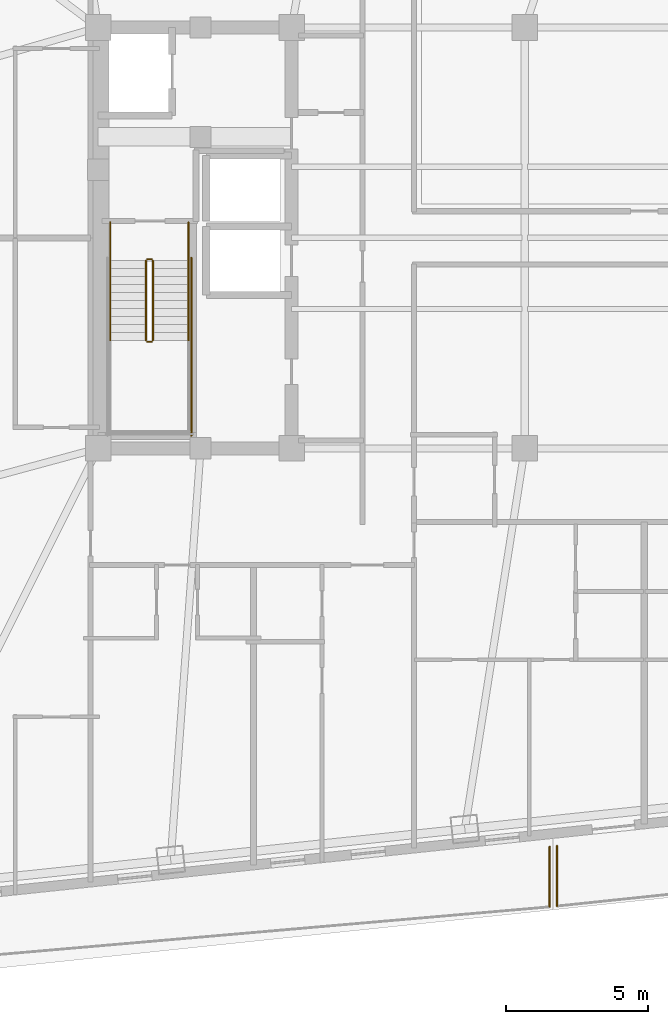
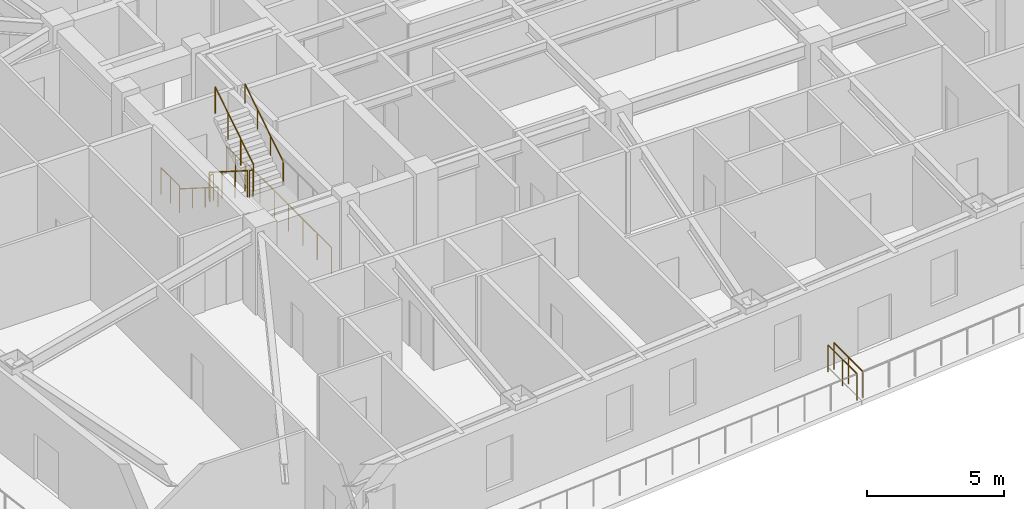
# One storey, part 12 of 15: 11 railings.
"""IFC4 building model written with IfcOpenShell, lengths in metres."""

import ifcopenshell
import ifcopenshell.guid

model = None  # the IFC model being written
_history = None  # IfcOwnerHistory: only IFC2X3 demands one
_inside = {}  # id of a spatial element -> (the spatial element, [elements in it])
_under = {}  # id of a project, library or spatial element -> (it, [spatial elements below it])
_declared = {}  # id of a project -> (the project, [libraries it declares])
_typed = {}  # id of a type object -> (the type object, [elements of that type])
_made_of = {}  # id of a material, layer set ... -> (it, [elements and type objects made of it])


def new_model(schema):
    """Start an empty IFC model of exactly this schema.

    Asked for "IFC4X3", IfcOpenShell would pick the latest addendum, in which some entities
    have other attributes; the version numbers below select the first issue.
    IFC2X3 requires an IfcOwnerHistory on every rooted entity: one is made here for all.
    """
    global model, _history
    if schema == "IFC4X3":
        model = ifcopenshell.file(schema_version=(4, 3, 0, 0))
    else:
        model = ifcopenshell.file(schema=schema)
    _inside.clear()
    _under.clear()
    _declared.clear()
    _typed.clear()
    _made_of.clear()
    _history = None
    if model.schema == "IFC2X3":
        org = make("IfcOrganization", Name="unknown")
        user = make(
            "IfcPersonAndOrganization",
            ThePerson=make("IfcPerson", FamilyName="unknown"),
            TheOrganization=org,
        )
        app = make(
            "IfcApplication",
            ApplicationDeveloper=org,
            Version="unknown",
            ApplicationFullName="unknown",
            ApplicationIdentifier="unknown",
        )
        _history = make(
            "IfcOwnerHistory",
            OwningUser=user,
            OwningApplication=app,
            ChangeAction="ADDED",
            CreationDate=0,
        )
    return model


def make(cls, **values):
    """One entity of the class cls with the attributes given. An attribute that is None is left unset."""
    return model.create_entity(
        cls, **{name: value for name, value in values.items() if value is not None}
    )


def rooted(cls, **values):
    """An entity with a GlobalId (a new one), such as an element, a storey or a relation."""
    return make(cls, GlobalId=ifcopenshell.guid.new(), OwnerHistory=_history, **values)


def si_unit(unit_type, name, prefix=None):
    """IfcSIUnit, for example si_unit("LENGTHUNIT", "METRE", prefix="MILLI")."""
    return make("IfcSIUnit", UnitType=unit_type, Prefix=prefix, Name=name)


def assignment(units):
    """IfcUnitAssignment: the units of a project."""
    return None if units is None else make("IfcUnitAssignment", Units=units)


def point(xyz):
    """IfcCartesianPoint."""
    return None if xyz is None else make("IfcCartesianPoint", Coordinates=xyz)


def direction(xyz):
    """IfcDirection."""
    return None if xyz is None else make("IfcDirection", DirectionRatios=xyz)


def frame(location, z_axis=None, x_axis=None):
    """IfcAxis2Placement3D, a coordinate frame: its origin and axes. An axis left out is left unset."""
    return make(
        "IfcAxis2Placement3D",
        Location=point(location),
        Axis=direction(z_axis),
        RefDirection=direction(x_axis),
    )


def frame_2d(location, x_axis=None):
    """IfcAxis2Placement2D, a coordinate frame in the plane: its origin and x axis."""
    return make(
        "IfcAxis2Placement2D", Location=point(location), RefDirection=direction(x_axis)
    )


def origin():
    """The frame at (0, 0, 0) with its axes left unset."""
    return frame((0.0, 0.0, 0.0))


def origin_2d():
    """The frame at (0, 0) in the plane with its x axis left unset."""
    return frame_2d((0.0, 0.0))


def place(relative_to, where):
    """IfcLocalPlacement: puts the frame where relative to a parent placement (None: the world)."""
    return make(
        "IfcLocalPlacement", PlacementRelTo=relative_to, RelativePlacement=where
    )


def context(
    kind, dimensions, precision=None, world=None, true_north=None, identifier=None
):
    """IfcGeometricRepresentationContext, for example the 3D "Model" context."""
    return make(
        "IfcGeometricRepresentationContext",
        ContextIdentifier=identifier,
        ContextType=kind,
        CoordinateSpaceDimension=dimensions,
        Precision=precision,
        WorldCoordinateSystem=world,
        TrueNorth=true_north,
    )


def subcontext(parent, identifier, kind, view, scale=None):
    """IfcGeometricRepresentationSubContext, for example "Body" below "Model"."""
    return make(
        "IfcGeometricRepresentationSubContext",
        ContextIdentifier=identifier,
        ContextType=kind,
        ParentContext=parent,
        TargetScale=scale,
        TargetView=view,
    )


def project(units=None, contexts=None):
    """IfcProject with its units and contexts."""
    return rooted(
        "IfcProject",
        Name="project",
        RepresentationContexts=contexts,
        UnitsInContext=assignment(units),
    )


def spatial(cls, under=None, at=None, **own):
    """A site, building, storey or space (cls), placed at a placement, below another one or the project."""
    s = rooted(cls, ObjectPlacement=at, **own)
    if under is not None:
        _under.setdefault(under.id(), (under, []))[1].append(s)
    return s


def profile(cls, at=None, kind="AREA", **sizes):
    """A parametric profile (cls). Its sizes go by their IFC names, for example OverallWidth=200.0."""
    return make(cls, ProfileType=kind, Position=at, **sizes)


def circle(**sizes):
    """IfcCircleProfileDef."""
    return profile("IfcCircleProfileDef", **sizes)


def extrude(swept, where, along, depth):
    """IfcExtrudedAreaSolid: the profile swept, set in the frame where, extruded along a direction by depth."""
    return make(
        "IfcExtrudedAreaSolid",
        SweptArea=swept,
        Position=where,
        ExtrudedDirection=direction(along),
        Depth=depth,
    )


def shape(context_of_items, identifier, shape_type, items):
    """IfcShapeRepresentation: the items that make up one representation, for example the "Body"."""
    return make(
        "IfcShapeRepresentation",
        ContextOfItems=context_of_items,
        RepresentationIdentifier=identifier,
        RepresentationType=shape_type,
        Items=items,
    )


def material(Name=None, Category=None):
    """IfcMaterial."""
    return make("IfcMaterial", Name=Name, Category=Category)


def made_of(thing, what):
    """Note that an element or type object is made of a material, layer set ...; save() writes the relation."""
    if what is not None:
        _made_of.setdefault(what.id(), (what, []))[1].append(thing)
    return thing


def type_object(cls, material=None, **own):
    """A type object (cls), such as IfcWallType, which elements share."""
    return made_of(rooted(cls, **own), material)


def element(
    cls,
    number,
    at=None,
    inside=None,
    cuts=None,
    type_object=None,
    material=None,
    context=None,
    identifier="Body",
    shape_type=None,
    held_by="IfcProductDefinitionShape",
    body=None,
    shapes=None,
    **own,
):
    """One element of the class cls, such as IfcWall. Its Tag is "e" and its number.

    at: its placement. inside: the storey or other place that contains it. cuts: it is an
    opening in that element (IfcRelVoidsElement). A single representation is given by context,
    identifier, shape_type and body (its items); several are given by shapes. held_by: the class
    of the entity that holds the representations. save() writes the other relations.
    """
    e = rooted(cls, Tag="e%d" % number, ObjectPlacement=at, **own)
    if body is not None:
        shapes = [shape(context, identifier, shape_type, body)]
    if shapes is not None:
        e.Representation = make(held_by, Representations=shapes)
    if inside is not None:
        _inside.setdefault(inside.id(), (inside, []))[1].append(e)
    if cuts is not None:
        rooted(
            "IfcRelVoidsElement", RelatingBuildingElement=cuts, RelatedOpeningElement=e
        )
    if type_object is not None:
        _typed.setdefault(type_object.id(), (type_object, []))[1].append(e)
    return made_of(e, material)


def aggregate(whole, parts):
    """IfcRelAggregates: a whole, such as a stair, and the parts it consists of."""
    return rooted("IfcRelAggregates", RelatingObject=whole, RelatedObjects=parts)


def save(model, path):
    """Write the relations noted so far, then the file.

    IfcRelAggregates (storeys below a building ...), IfcRelContainedInSpatialStructure (elements
    in a storey), IfcRelDefinesByType, IfcRelAssociatesMaterial and IfcRelDeclares: one each for
    every whole, place, type object, material and project.
    """
    for whole, parts in _under.values():
        aggregate(whole, parts)
    for where, things in _inside.values():
        rooted(
            "IfcRelContainedInSpatialStructure",
            RelatedElements=things,
            RelatingStructure=where,
        )
    for kind, things in _typed.values():
        rooted("IfcRelDefinesByType", RelatedObjects=things, RelatingType=kind)
    for what, things in _made_of.values():
        rooted("IfcRelAssociatesMaterial", RelatedObjects=things, RelatingMaterial=what)
    for by, libraries in _declared.values():
        rooted("IfcRelDeclares", RelatingContext=by, RelatedDefinitions=libraries)
    model.write(path)


model = new_model("IFC4")

# Units and contexts
model_context = context("Model", 3, precision=1e-05, world=origin(), true_north=direction((0.0, 1.0)))
body_context = subcontext(model_context, "Body", "Model", "MODEL_VIEW")
ifc_project = project(units=[si_unit("LENGTHUNIT", "METRE"), si_unit("AREAUNIT", "SQUARE_METRE"), si_unit("VOLUMEUNIT", "CUBIC_METRE"), si_unit("PLANEANGLEUNIT", "RADIAN"), si_unit("MASSUNIT", "GRAM", prefix="KILO")], contexts=[model_context])

# Site, building, storey
site_placement = place(None, origin())
site = spatial("IfcSite", under=ifc_project, at=site_placement, CompositionType="ELEMENT")
building_placement = place(site_placement, origin())
building = spatial("IfcBuilding", under=site, at=building_placement, Name="Voryun Gate Residences", CompositionType="ELEMENT")
storey_placement = place(building_placement, frame((0.0, 0.0, 171.60009765625)))
storey = spatial("IfcBuildingStorey", under=building, at=storey_placement, Name="L42", CompositionType="ELEMENT", Elevation=171.60009765625)

# Railings
ifc_material_1 = material(Name="Anodised aluminium", Category="aluminium")
railing_type_1 = type_object("IfcRailingType", Name="RAIL_BALCONY_GUARD_1200", PredefinedType="GUARDRAIL", material=ifc_material_1)
railing_1_placement = place(storey_placement, frame((-3.330078125, -21.40771484375, 0.0)))
element("IfcRailing", 1, at=railing_1_placement, inside=storey, type_object=railing_type_1, Name="Terrace guard RL-L42-P1L2-01", PredefinedType="GUARDRAIL", context=body_context, shape_type="SweptSolid", body=[
    extrude(circle(Radius=0.02392578125, at=origin_2d()), frame((0.0, 0.0, 1.17578125), z_axis=(0.0, -1.0, 0.0), x_axis=(1.0, 0.0, 0.0)), (0.0, 0.0, 1.0), 2.111328125),
    extrude(circle(Radius=0.02099609375, at=origin_2d()), origin(), (0.0, 0.0, 1.0), 1.15185546875),
    extrude(circle(Radius=0.02099609375, at=origin_2d()), frame((0.0, -1.0556640625, 0.0)), (0.0, 0.0, 1.0), 1.15185546875),
    extrude(circle(Radius=0.02099609375, at=origin_2d()), frame((0.0, -2.111328125, 0.0)), (0.0, 0.0, 1.0), 1.15185546875),
])
railing_2_placement = place(storey_placement, frame((-3.070068359375, -23.49169921875, 0.0)))
element("IfcRailing", 2, at=railing_2_placement, inside=storey, type_object=railing_type_1, Name="Terrace guard RL-L42-P2L1-07", PredefinedType="GUARDRAIL", context=body_context, shape_type="SweptSolid", body=[
    extrude(circle(Radius=0.02392578125, at=origin_2d()), frame((0.0, 0.0, 1.17578125), z_axis=(0.0, 1.0, 0.0), x_axis=(-1.0, 0.0, 0.0)), (0.0, 0.0, 1.0), 2.111572265625),
    extrude(circle(Radius=0.02099609375, at=origin_2d()), origin(), (0.0, 0.0, 1.0), 1.15185546875),
    extrude(circle(Radius=0.02099609375, at=origin_2d()), frame((0.0, 1.0556640625, 0.0)), (0.0, 0.0, 1.0), 1.15185546875),
    extrude(circle(Radius=0.02099609375, at=origin_2d()), frame((0.0, 2.111572265625, 0.0)), (0.0, 0.0, 1.0), 1.15185546875),
])
ifc_material_2 = material(Name="Painted steel", Category="steel")
railing_type_2 = type_object("IfcRailingType", Name="RAIL_STAIR_GUARD_1200", PredefinedType="GUARDRAIL", material=ifc_material_2)
railing_3_placement = place(storey_placement, frame((-17.52490234375, -0.800048828125, 0.17724609375)))
element("IfcRailing", 3, at=railing_3_placement, inside=storey, type_object=railing_type_2, Name="L42 ST-W1 stair guard 1", PredefinedType="GUARDRAIL", context=body_context, shape_type="SweptSolid", body=[
    extrude(circle(Radius=0.02392578125, at=origin_2d()), frame((0.0, 0.0, 1.17578125), z_axis=(0.0, -0.844908973607, 0.534910110503), x_axis=(1.0, 0.0, 0.0)), (0.0, 0.0, 1.0), 3.31396484375),
    extrude(circle(Radius=0.02099609375, at=origin_2d()), origin(), (0.0, 0.0, 1.0), 1.15185546875),
    extrude(circle(Radius=0.02099609375, at=origin_2d()), frame((0.0, -0.933349609375, 0.5908203125)), (0.0, 0.0, 1.0), 1.15185546875),
    extrude(circle(Radius=0.02099609375, at=origin_2d()), frame((0.0, -1.86669921875, 1.181884765625)), (0.0, 0.0, 1.0), 1.15185546875),
    extrude(circle(Radius=0.02099609375, at=origin_2d()), frame((0.0, -2.800048828125, 1.772705078125)), (0.0, 0.0, 1.0), 1.15185546875),
])
railing_4_placement = place(storey_placement, frame((-17.47509765625, -3.64990234375, 1.949951171875)))
element("IfcRailing", 4, at=railing_4_placement, inside=storey, type_object=railing_type_2, Name="L42 ST-W1 stair guard 2", PredefinedType="GUARDRAIL", context=body_context, shape_type="SweptSolid", body=[
    extrude(circle(Radius=0.02392578125, at=origin_2d()), frame((0.0, 0.0, 1.17578125), z_axis=(1.0, 0.0, 0.0), x_axis=(0.0, 1.0, 0.0)), (0.0, 0.0, 1.0), 0.150146484375),
    extrude(circle(Radius=0.02099609375, at=origin_2d()), origin(), (0.0, 0.0, 1.0), 1.15185546875),
    extrude(circle(Radius=0.02099609375, at=origin_2d()), frame((0.150146484375, 0.0, 0.0)), (0.0, 0.0, 1.0), 1.15185546875),
])
railing_5_placement = place(storey_placement, frame((-17.27490234375, -3.60009765625, 2.127197265625)))
element("IfcRailing", 5, at=railing_5_placement, inside=storey, type_object=railing_type_2, Name="L42 ST-W1 stair guard 6", PredefinedType="GUARDRAIL", context=body_context, shape_type="SweptSolid", body=[
    extrude(circle(Radius=0.02392578125, at=origin_2d()), frame((0.0, 0.0, 1.17578125), z_axis=(0.0, 0.844908973607, 0.534910110503), x_axis=(-1.0, 0.0, 0.0)), (0.0, 0.0, 1.0), 3.31396484375),
    extrude(circle(Radius=0.02099609375, at=origin_2d()), origin(), (0.0, 0.0, 1.0), 1.15185546875),
    extrude(circle(Radius=0.02099609375, at=origin_2d()), frame((0.0, 0.933349609375, 0.5908203125)), (0.0, 0.0, 1.0), 1.15185546875),
    extrude(circle(Radius=0.02099609375, at=origin_2d()), frame((0.0, 1.86669921875, 1.181884765625)), (0.0, 0.0, 1.0), 1.15185546875),
    extrude(circle(Radius=0.02099609375, at=origin_2d()), frame((0.0, 2.800048828125, 1.772705078125)), (0.0, 0.0, 1.0), 1.15185546875),
])
railing_6_placement = place(storey_placement, frame((-17.47509765625, -0.75, 0.0)))
element("IfcRailing", 6, at=railing_6_placement, inside=storey, type_object=railing_type_2, Name="L42 ST-W1 stair guard 7", PredefinedType="GUARDRAIL", context=body_context, shape_type="SweptSolid", body=[
    extrude(circle(Radius=0.02392578125, at=origin_2d()), frame((0.0, 0.0, 1.17578125), z_axis=(1.0, 0.0, 0.0), x_axis=(0.0, 1.0, 0.0)), (0.0, 0.0, 1.0), 0.150146484375),
    extrude(circle(Radius=0.02099609375, at=origin_2d()), origin(), (0.0, 0.0, 1.0), 1.15185546875),
    extrude(circle(Radius=0.02099609375, at=origin_2d()), frame((0.150146484375, 0.0, 0.0)), (0.0, 0.0, 1.0), 1.15185546875),
])
for number, where, name in (
    (7, (-18.77490234375, 0.550048828125, 0.0), "L42 ST-W1 stair guard 8"),
    (8, (-16.02490234375, 0.550048828125, 0.0), "L42 ST-W1 stair guard 9"),
):
    element("IfcRailing", number, at=place(storey_placement, frame(where)), inside=storey, type_object=railing_type_2, Name=name, PredefinedType="GUARDRAIL", context=body_context, shape_type="SweptSolid", body=[
        extrude(circle(Radius=0.02392578125, at=origin_2d()), frame((0.0, 0.0, 1.17578125), z_axis=(0.0, -1.0, 0.0), x_axis=(1.0, 0.0, 0.0)), (0.0, 0.0, 1.0), 1.35009765625),
        extrude(circle(Radius=0.02099609375, at=origin_2d()), origin(), (0.0, 0.0, 1.0), 1.15185546875),
        extrude(circle(Radius=0.02099609375, at=origin_2d()), frame((0.0, -0.675048828125, 0.0)), (0.0, 0.0, 1.0), 1.15185546875),
        extrude(circle(Radius=0.02099609375, at=origin_2d()), frame((0.0, -1.35009765625, 0.0)), (0.0, 0.0, 1.0), 1.15185546875),
    ])
railing_7_placement = place(storey_placement, frame((-15.925048828125, -0.699951171875, 0.0)))
element("IfcRailing", 9, at=railing_7_placement, inside=storey, type_object=railing_type_2, Name="L42 ST-W1 stair guard 11", PredefinedType="GUARDRAIL", context=body_context, shape_type="SweptSolid", body=[
    extrude(circle(Radius=0.02392578125, at=origin_2d()), frame((0.0, 0.0, 1.17578125), z_axis=(0.0, -1.0, 0.0), x_axis=(1.0, 0.0, 0.0)), (0.0, 0.0, 1.0), 6.25),
    extrude(circle(Radius=0.02099609375, at=origin_2d()), origin(), (0.0, 0.0, 1.0), 1.15185546875),
    extrude(circle(Radius=0.02099609375, at=origin_2d()), frame((0.0, -1.041748046875, 0.0)), (0.0, 0.0, 1.0), 1.15185546875),
    extrude(circle(Radius=0.02099609375, at=origin_2d()), frame((0.0, -2.083251953125, 0.0)), (0.0, 0.0, 1.0), 1.15185546875),
    extrude(circle(Radius=0.02099609375, at=origin_2d()), frame((0.0, -3.125, 0.0)), (0.0, 0.0, 1.0), 1.15185546875),
    extrude(circle(Radius=0.02099609375, at=origin_2d()), frame((0.0, -4.166748046875, 0.0)), (0.0, 0.0, 1.0), 1.15185546875),
    extrude(circle(Radius=0.02099609375, at=origin_2d()), frame((0.0, -5.208251953125, 0.0)), (0.0, 0.0, 1.0), 1.15185546875),
    extrude(circle(Radius=0.02099609375, at=origin_2d()), frame((0.0, -6.25, 0.0)), (0.0, 0.0, 1.0), 1.15185546875),
])
ifc_material_3 = material(Name="Painted steel", Category="steel")
railing_type_3 = type_object("IfcRailingType", Name="RAIL_STAIR_HANDRAIL_900", PredefinedType="HANDRAIL", material=ifc_material_3)
railing_8_placement = place(storey_placement, frame((-18.77490234375, -0.800048828125, 0.17724609375)))
element("IfcRailing", 10, at=railing_8_placement, inside=storey, type_object=railing_type_3, Name="L42 ST-W1 stair handrail 1", PredefinedType="HANDRAIL", context=body_context, shape_type="SweptSolid", body=[
    extrude(circle(Radius=0.02392578125, at=origin_2d()), frame((0.0, 0.0, 0.8759765625), z_axis=(0.0, -0.844908973607, 0.534910110503), x_axis=(1.0, 0.0, 0.0)), (0.0, 0.0, 1.0), 3.31396484375),
    extrude(circle(Radius=0.02099609375, at=origin_2d()), origin(), (0.0, 0.0, 1.0), 0.851806640625),
    extrude(circle(Radius=0.02099609375, at=origin_2d()), frame((0.0, -0.933349609375, 0.5908203125)), (0.0, 0.0, 1.0), 0.851806640625),
    extrude(circle(Radius=0.02099609375, at=origin_2d()), frame((0.0, -1.86669921875, 1.181884765625)), (0.0, 0.0, 1.0), 0.851806640625),
    extrude(circle(Radius=0.02099609375, at=origin_2d()), frame((0.0, -2.800048828125, 1.772705078125)), (0.0, 0.0, 1.0), 0.851806640625),
])
railing_9_placement = place(storey_placement, frame((-16.02490234375, -3.60009765625, 2.127197265625)))
element("IfcRailing", 11, at=railing_9_placement, inside=storey, type_object=railing_type_3, Name="L42 ST-W1 stair handrail 2", PredefinedType="HANDRAIL", context=body_context, shape_type="SweptSolid", body=[
    extrude(circle(Radius=0.02392578125, at=origin_2d()), frame((0.0, 0.0, 0.8759765625), z_axis=(0.0, 0.844908973607, 0.534910110503), x_axis=(-1.0, 0.0, 0.0)), (0.0, 0.0, 1.0), 3.31396484375),
    extrude(circle(Radius=0.02099609375, at=origin_2d()), origin(), (0.0, 0.0, 1.0), 0.851806640625),
    extrude(circle(Radius=0.02099609375, at=origin_2d()), frame((0.0, 0.933349609375, 0.5908203125)), (0.0, 0.0, 1.0), 0.851806640625),
    extrude(circle(Radius=0.02099609375, at=origin_2d()), frame((0.0, 1.86669921875, 1.181884765625)), (0.0, 0.0, 1.0), 0.851806640625),
    extrude(circle(Radius=0.02099609375, at=origin_2d()), frame((0.0, 2.800048828125, 1.772705078125)), (0.0, 0.0, 1.0), 0.851806640625),
])

save(model, "model.ifc")
